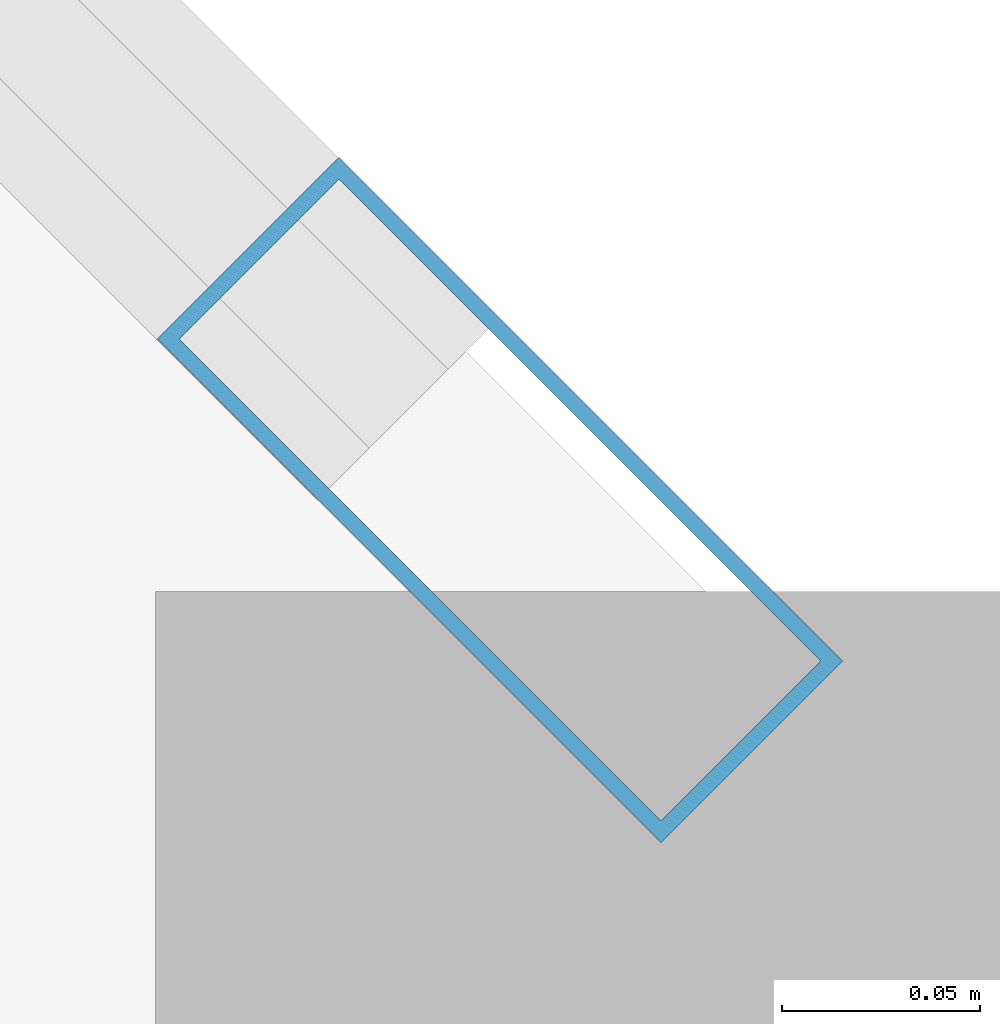
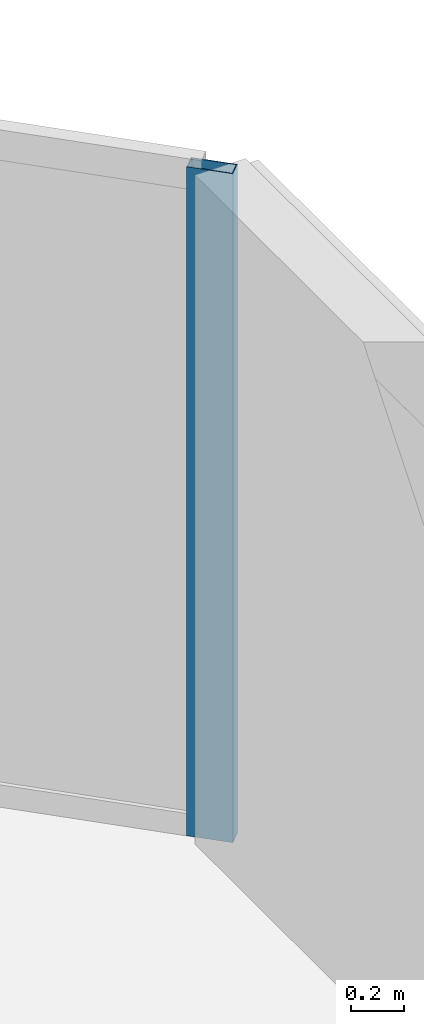
# One storey, part 8 of 29: 1 member, 1 element without a shape of its own.
"""IFC4 building model written with IfcOpenShell, lengths in metres."""

from ifc_helpers import new_model, si_unit, direction, frame, origin, origin_2d, place, context, subcontext, project, spatial, hollow_rectangle, extrude, material, layer, layer_set, material_profile, profile_set, type_object, element, aggregate, save


model = new_model("IFC4")

# Units and contexts
model_context = context("Model", 3, precision=1e-05, world=origin(), true_north=direction((0.0, 1.0)))
body_context = subcontext(model_context, "Body", "Model", "MODEL_VIEW")
ifc_project = project(units=[si_unit("LENGTHUNIT", "METRE"), si_unit("AREAUNIT", "SQUARE_METRE"), si_unit("VOLUMEUNIT", "CUBIC_METRE"), si_unit("PLANEANGLEUNIT", "RADIAN"), si_unit("MASSUNIT", "GRAM", prefix="KILO")], contexts=[model_context])

# Site, building, storey
site_placement = place(None, origin())
site = spatial("IfcSite", under=ifc_project, at=site_placement, CompositionType="ELEMENT")
building_placement = place(site_placement, origin())
building = spatial("IfcBuilding", under=site, at=building_placement, Name="Tanjung Sevakor Pilgrim Tower", CompositionType="ELEMENT")
storey_placement = place(building_placement, frame((0.0, 0.0, 235.949951171875)))
storey = spatial("IfcBuildingStorey", under=building, at=storey_placement, Name="L66", CompositionType="ELEMENT", Elevation=235.949951171875)

# Curtain wall, member
ifc_material_1 = material(Name="Aluminium 6063-T6 and Low-E Glass", Category="aluminium")
ifc_layer = layer(ifc_material_1, 0.179931640625)
ifc_layer_set = layer_set([ifc_layer], Name="CW-SYS-CHAM")
curtain_wall_type = type_object("IfcCurtainWallType", Name="CW-SYS-CHAM", PredefinedType="NOTDEFINED", material=ifc_layer_set)
curtain_wall_placement = place(storey_placement, origin())
curtain_wall = element("IfcCurtainWall", 1, at=curtain_wall_placement, inside=storey, type_object=curtain_wall_type, Name="L66 Curtain Wall CW-CHM-L66-WEST-3", PredefinedType="NOTDEFINED")
ifc_material_2 = material(Name="Aluminium 6063-T6", Category="aluminium")
ifc_material_profile = material_profile(ifc_material_2, hollow_rectangle(XDim=0.06494140625, YDim=0.179931640625, WallThickness=0.00390625, at=origin_2d()))
ifc_profile_set = profile_set([ifc_material_profile], Name="Aluminium 6063-T6")
member_type = type_object("IfcMemberType", Name="TYPE-CWM-1", PredefinedType="MULLION", material=ifc_profile_set)
member_placement = place(storey_placement, frame((38.317138671875, 40.77734375, 0.0), z_axis=(0.0, 0.0, 1.0), x_axis=(-0.707106781187, -0.707106781187, 0.0)))
member = element("IfcMember", 2, at=member_placement, type_object=member_type, Name="CW-CHM mullion 1", PredefinedType="MULLION", context=body_context, shape_type="SweptSolid", body=[
    extrude(hollow_rectangle(XDim=0.06494140625, YDim=0.179931640625, WallThickness=0.00390625, at=origin_2d()), origin(), (0.0, 0.0, 1.0), 3.080078125),
])
aggregate(curtain_wall, [member])

save(model, "model.ifc")
